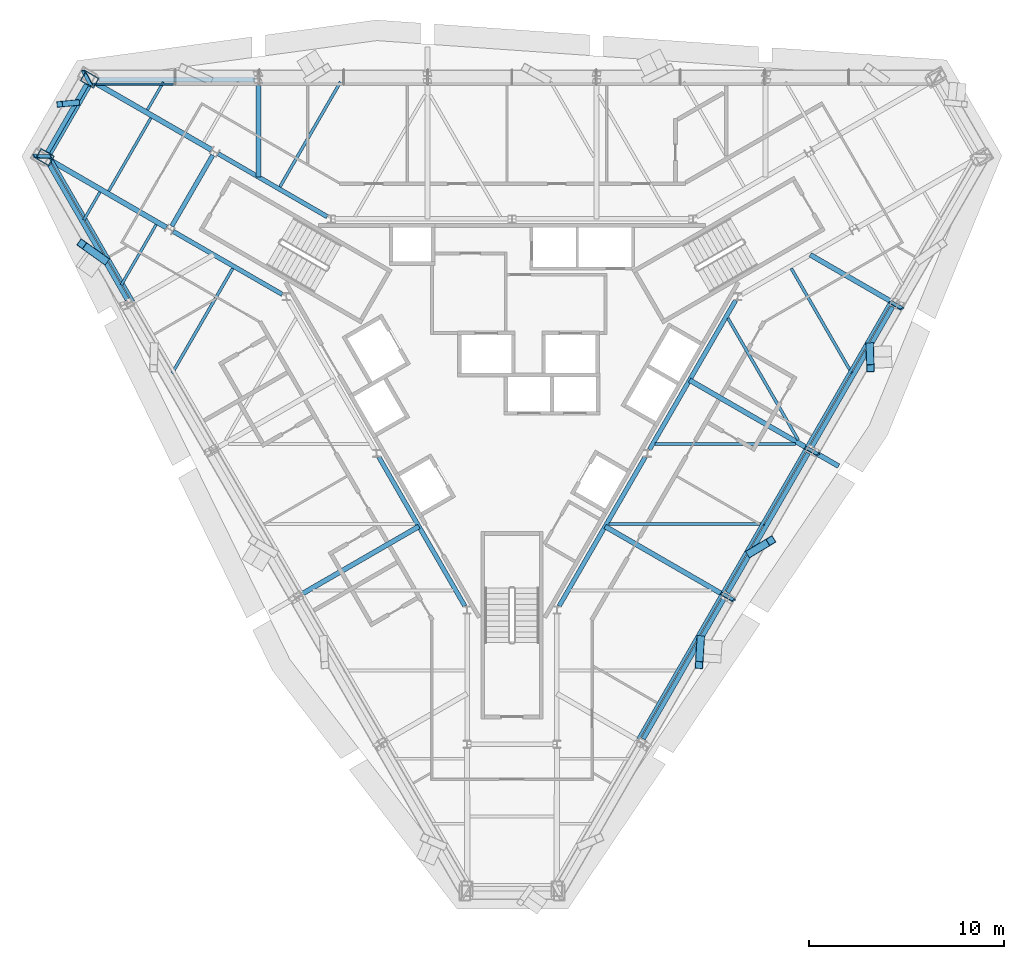
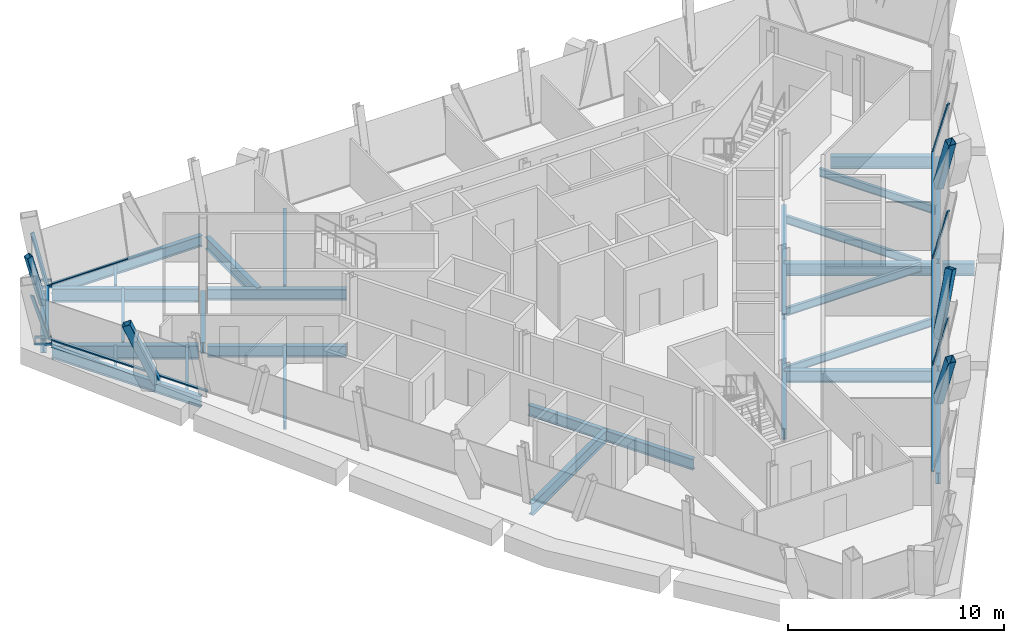
# One storey, part 3 of 10: 30 beams, 18 members, 4 elements without a shape of their own.
"""IFC4 building model written with IfcOpenShell, lengths in metres."""

import ifcopenshell
import ifcopenshell.guid

model = None  # the IFC model being written
_history = None  # IfcOwnerHistory: only IFC2X3 demands one
_inside = {}  # id of a spatial element -> (the spatial element, [elements in it])
_under = {}  # id of a project, library or spatial element -> (it, [spatial elements below it])
_declared = {}  # id of a project -> (the project, [libraries it declares])
_typed = {}  # id of a type object -> (the type object, [elements of that type])
_made_of = {}  # id of a material, layer set ... -> (it, [elements and type objects made of it])


def new_model(schema):
    """Start an empty IFC model of exactly this schema.

    Asked for "IFC4X3", IfcOpenShell would pick the latest addendum, in which some entities
    have other attributes; the version numbers below select the first issue.
    IFC2X3 requires an IfcOwnerHistory on every rooted entity: one is made here for all.
    """
    global model, _history
    if schema == "IFC4X3":
        model = ifcopenshell.file(schema_version=(4, 3, 0, 0))
    else:
        model = ifcopenshell.file(schema=schema)
    _inside.clear()
    _under.clear()
    _declared.clear()
    _typed.clear()
    _made_of.clear()
    _history = None
    if model.schema == "IFC2X3":
        org = make("IfcOrganization", Name="unknown")
        user = make(
            "IfcPersonAndOrganization",
            ThePerson=make("IfcPerson", FamilyName="unknown"),
            TheOrganization=org,
        )
        app = make(
            "IfcApplication",
            ApplicationDeveloper=org,
            Version="unknown",
            ApplicationFullName="unknown",
            ApplicationIdentifier="unknown",
        )
        _history = make(
            "IfcOwnerHistory",
            OwningUser=user,
            OwningApplication=app,
            ChangeAction="ADDED",
            CreationDate=0,
        )
    return model


def make(cls, **values):
    """One entity of the class cls with the attributes given. An attribute that is None is left unset."""
    return model.create_entity(
        cls, **{name: value for name, value in values.items() if value is not None}
    )


def rooted(cls, **values):
    """An entity with a GlobalId (a new one), such as an element, a storey or a relation."""
    return make(cls, GlobalId=ifcopenshell.guid.new(), OwnerHistory=_history, **values)


def si_unit(unit_type, name, prefix=None):
    """IfcSIUnit, for example si_unit("LENGTHUNIT", "METRE", prefix="MILLI")."""
    return make("IfcSIUnit", UnitType=unit_type, Prefix=prefix, Name=name)


def assignment(units):
    """IfcUnitAssignment: the units of a project."""
    return None if units is None else make("IfcUnitAssignment", Units=units)


def point(xyz):
    """IfcCartesianPoint."""
    return None if xyz is None else make("IfcCartesianPoint", Coordinates=xyz)


def direction(xyz):
    """IfcDirection."""
    return None if xyz is None else make("IfcDirection", DirectionRatios=xyz)


def frame(location, z_axis=None, x_axis=None):
    """IfcAxis2Placement3D, a coordinate frame: its origin and axes. An axis left out is left unset."""
    return make(
        "IfcAxis2Placement3D",
        Location=point(location),
        Axis=direction(z_axis),
        RefDirection=direction(x_axis),
    )


def frame_2d(location, x_axis=None):
    """IfcAxis2Placement2D, a coordinate frame in the plane: its origin and x axis."""
    return make(
        "IfcAxis2Placement2D", Location=point(location), RefDirection=direction(x_axis)
    )


def origin():
    """The frame at (0, 0, 0) with its axes left unset."""
    return frame((0.0, 0.0, 0.0))


def origin_2d():
    """The frame at (0, 0) in the plane with its x axis left unset."""
    return frame_2d((0.0, 0.0))


def place(relative_to, where):
    """IfcLocalPlacement: puts the frame where relative to a parent placement (None: the world)."""
    return make(
        "IfcLocalPlacement", PlacementRelTo=relative_to, RelativePlacement=where
    )


def context(
    kind, dimensions, precision=None, world=None, true_north=None, identifier=None
):
    """IfcGeometricRepresentationContext, for example the 3D "Model" context."""
    return make(
        "IfcGeometricRepresentationContext",
        ContextIdentifier=identifier,
        ContextType=kind,
        CoordinateSpaceDimension=dimensions,
        Precision=precision,
        WorldCoordinateSystem=world,
        TrueNorth=true_north,
    )


def subcontext(parent, identifier, kind, view, scale=None):
    """IfcGeometricRepresentationSubContext, for example "Body" below "Model"."""
    return make(
        "IfcGeometricRepresentationSubContext",
        ContextIdentifier=identifier,
        ContextType=kind,
        ParentContext=parent,
        TargetScale=scale,
        TargetView=view,
    )


def project(units=None, contexts=None):
    """IfcProject with its units and contexts."""
    return rooted(
        "IfcProject",
        Name="project",
        RepresentationContexts=contexts,
        UnitsInContext=assignment(units),
    )


def spatial(cls, under=None, at=None, **own):
    """A site, building, storey or space (cls), placed at a placement, below another one or the project."""
    s = rooted(cls, ObjectPlacement=at, **own)
    if under is not None:
        _under.setdefault(under.id(), (under, []))[1].append(s)
    return s


def profile(cls, at=None, kind="AREA", **sizes):
    """A parametric profile (cls). Its sizes go by their IFC names, for example OverallWidth=200.0."""
    return make(cls, ProfileType=kind, Position=at, **sizes)


def rectangle(**sizes):
    """IfcRectangleProfileDef."""
    return profile("IfcRectangleProfileDef", **sizes)


def hollow_rectangle(**sizes):
    """IfcRectangleHollowProfileDef."""
    return profile("IfcRectangleHollowProfileDef", **sizes)


def i_section(**sizes):
    """IfcIShapeProfileDef."""
    return profile("IfcIShapeProfileDef", **sizes)


def extrude(swept, where, along, depth):
    """IfcExtrudedAreaSolid: the profile swept, set in the frame where, extruded along a direction by depth."""
    return make(
        "IfcExtrudedAreaSolid",
        SweptArea=swept,
        Position=where,
        ExtrudedDirection=direction(along),
        Depth=depth,
    )


def shape(context_of_items, identifier, shape_type, items):
    """IfcShapeRepresentation: the items that make up one representation, for example the "Body"."""
    return make(
        "IfcShapeRepresentation",
        ContextOfItems=context_of_items,
        RepresentationIdentifier=identifier,
        RepresentationType=shape_type,
        Items=items,
    )


def material(Name=None, Category=None):
    """IfcMaterial."""
    return make("IfcMaterial", Name=Name, Category=Category)


def material_profile(
    of_material, cross_section, Name=None, Category=None, Priority=None
):
    """IfcMaterialProfile: a cross section and its material."""
    return make(
        "IfcMaterialProfile",
        Name=Name,
        Material=of_material,
        Profile=cross_section,
        Priority=Priority,
        Category=Category,
    )


def profile_set(profiles, Name=None, composite=None):
    """IfcMaterialProfileSet."""
    return make(
        "IfcMaterialProfileSet",
        Name=Name,
        MaterialProfiles=profiles,
        CompositeProfile=composite,
    )


def made_of(thing, what):
    """Note that an element or type object is made of a material, layer set ...; save() writes the relation."""
    if what is not None:
        _made_of.setdefault(what.id(), (what, []))[1].append(thing)
    return thing


def type_object(cls, material=None, **own):
    """A type object (cls), such as IfcWallType, which elements share."""
    return made_of(rooted(cls, **own), material)


def element(
    cls,
    number,
    at=None,
    inside=None,
    cuts=None,
    type_object=None,
    material=None,
    context=None,
    identifier="Body",
    shape_type=None,
    held_by="IfcProductDefinitionShape",
    body=None,
    shapes=None,
    **own,
):
    """One element of the class cls, such as IfcWall. Its Tag is "e" and its number.

    at: its placement. inside: the storey or other place that contains it. cuts: it is an
    opening in that element (IfcRelVoidsElement). A single representation is given by context,
    identifier, shape_type and body (its items); several are given by shapes. held_by: the class
    of the entity that holds the representations. save() writes the other relations.
    """
    e = rooted(cls, Tag="e%d" % number, ObjectPlacement=at, **own)
    if body is not None:
        shapes = [shape(context, identifier, shape_type, body)]
    if shapes is not None:
        e.Representation = make(held_by, Representations=shapes)
    if inside is not None:
        _inside.setdefault(inside.id(), (inside, []))[1].append(e)
    if cuts is not None:
        rooted(
            "IfcRelVoidsElement", RelatingBuildingElement=cuts, RelatedOpeningElement=e
        )
    if type_object is not None:
        _typed.setdefault(type_object.id(), (type_object, []))[1].append(e)
    return made_of(e, material)


def aggregate(whole, parts):
    """IfcRelAggregates: a whole, such as a stair, and the parts it consists of."""
    return rooted("IfcRelAggregates", RelatingObject=whole, RelatedObjects=parts)


def save(model, path):
    """Write the relations noted so far, then the file.

    IfcRelAggregates (storeys below a building ...), IfcRelContainedInSpatialStructure (elements
    in a storey), IfcRelDefinesByType, IfcRelAssociatesMaterial and IfcRelDeclares: one each for
    every whole, place, type object, material and project.
    """
    for whole, parts in _under.values():
        aggregate(whole, parts)
    for where, things in _inside.values():
        rooted(
            "IfcRelContainedInSpatialStructure",
            RelatedElements=things,
            RelatingStructure=where,
        )
    for kind, things in _typed.values():
        rooted("IfcRelDefinesByType", RelatedObjects=things, RelatingType=kind)
    for what, things in _made_of.values():
        rooted("IfcRelAssociatesMaterial", RelatedObjects=things, RelatingMaterial=what)
    for by, libraries in _declared.values():
        rooted("IfcRelDeclares", RelatingContext=by, RelatedDefinitions=libraries)
    model.write(path)


model = new_model("IFC4")

# Units and contexts
model_context = context("Model", 3, precision=1e-05, world=origin(), true_north=direction((0.0, 1.0)))
body_context = subcontext(model_context, "Body", "Model", "MODEL_VIEW")
ifc_project = project(units=[si_unit("LENGTHUNIT", "METRE"), si_unit("AREAUNIT", "SQUARE_METRE"), si_unit("VOLUMEUNIT", "CUBIC_METRE"), si_unit("PLANEANGLEUNIT", "RADIAN"), si_unit("MASSUNIT", "GRAM", prefix="KILO")], contexts=[model_context])

# Site, building, storey
site_placement = place(None, origin())
site = spatial("IfcSite", under=ifc_project, at=site_placement, CompositionType="ELEMENT")
building_placement = place(site_placement, origin())
building = spatial("IfcBuilding", under=site, at=building_placement, Name="Verrane Prism Tower", CompositionType="ELEMENT")
storey_placement = place(building_placement, frame((0.0, 0.0, 213.800048828125)))
storey = spatial("IfcBuildingStorey", under=building, at=storey_placement, Name="L53", CompositionType="ELEMENT", Elevation=213.800048828125)

# Member
ifc_material_1 = material(Name="Steel A500 Grade C", Category="steel")
ifc_material_profile_1 = material_profile(ifc_material_1, hollow_rectangle(XDim=0.3046875, YDim=0.3046875, WallThickness=0.0126953125, InnerFilletRadius=0.00634765625, OuterFilletRadius=0.01904296875, at=origin_2d()), Name="HSS12x12x1/2")
ifc_profile_set_1 = profile_set([ifc_material_profile_1], Name="Steel A500 Grade C")
member_type_1 = type_object("IfcMemberType", Name="Chamfer brace HSS12x12x1/2", PredefinedType="BRACE", material=ifc_profile_set_1)
member_1_placement = place(storey_placement, frame((-22.298095703125, 13.9541015625, -0.24267578125), z_axis=(-0.266823244406, -0.02603153604, 0.963393852677), x_axis=(0.097099964285, -0.995274633926, 0.0)))
element("IfcMember", 1, at=member_1_placement, inside=storey, type_object=member_type_1, Name="Chamfer brace NW0 L53", PredefinedType="BRACE", context=body_context, shape_type="SweptSolid", body=[
    extrude(hollow_rectangle(XDim=0.3046875, YDim=0.3046875, WallThickness=0.0126953125, InnerFilletRadius=0.00634765625, OuterFilletRadius=0.01904296875, at=origin_2d()), origin(), (0.0, 0.0, 1.0), 3.226318359375),
])

# Beams
ifc_material_2 = material(Name="Steel A992", Category="steel")
ifc_material_profile_2 = material_profile(ifc_material_2, i_section(OverallWidth=0.2666015625, OverallDepth=0.7568359375, WebThickness=0.013916015625, FlangeThickness=0.019287109375, FilletRadius=0.0166015625, at=origin_2d()), Name="W30x108")
ifc_profile_set_2 = profile_set([ifc_material_profile_2], Name="Steel A992")
beam_type_1 = type_object("IfcBeamType", Name="Chamfer spandrel beam W30x108", PredefinedType="SPANDREL", material=ifc_profile_set_2)
beam_1_placement = place(storey_placement, frame((-21.77001953125, 14.8701171875, -0.53857421875), z_axis=(-0.499626934201, -0.866240686311, 0.0), x_axis=(0.866240686311, -0.499626934201, 0.0)))
element("IfcBeam", 2, at=beam_1_placement, inside=storey, type_object=beam_type_1, Name="Chamfer spandrel beam L53", PredefinedType="SPANDREL", context=body_context, shape_type="SweptSolid", body=[
    extrude(i_section(OverallWidth=0.2666015625, OverallDepth=0.7568359375, WebThickness=0.013916015625, FlangeThickness=0.019287109375, FilletRadius=0.0166015625, at=origin_2d()), origin(), (0.0, 0.0, 1.0), 3.98291015625),
])
ifc_material_3 = material(Name="Steel A992", Category="steel")
ifc_material_profile_3 = material_profile(ifc_material_3, i_section(OverallWidth=0.23046875, OverallDepth=0.6171875, WebThickness=0.01318359375, FlangeThickness=0.022216796875, FilletRadius=0.012939453125, at=origin_2d()), Name="W24x94")
ifc_profile_set_3 = profile_set([ifc_material_profile_3], Name="Steel A992")
beam_type_2 = type_object("IfcBeamType", Name="Core ring girder W24x94", PredefinedType="BEAM", material=ifc_profile_set_3)
beam_2_placement = place(storey_placement, frame((-9.45947265625, 8.114990234375, -0.55859375), z_axis=(-0.866080992722, 0.499903704773, 0.0), x_axis=(-0.499903704773, -0.866080992722, 0.0)))
element("IfcBeam", 3, at=beam_2_placement, inside=storey, type_object=beam_type_2, Name="Core ring girder L53", PredefinedType="BEAM", context=body_context, shape_type="SweptSolid", body=[
    extrude(i_section(OverallWidth=0.23046875, OverallDepth=0.6171875, WebThickness=0.01318359375, FlangeThickness=0.022216796875, FilletRadius=0.012939453125, at=origin_2d()), origin(), (0.0, 0.0, 1.0), 6.451904296875),
])
beam_3_placement = place(storey_placement, frame((-15.3203125, 11.266357421875, -0.55859375), z_axis=(-0.500375511519, -0.865808493532, 0.0), x_axis=(0.865808493532, -0.500375511519, 0.0)))
element("IfcBeam", 4, at=beam_3_placement, inside=storey, type_object=beam_type_2, Name="Core ring girder L53", PredefinedType="BEAM", context=body_context, shape_type="SweptSolid", body=[
    extrude(i_section(OverallWidth=0.23046875, OverallDepth=0.6171875, WebThickness=0.01318359375, FlangeThickness=0.022216796875, FilletRadius=0.012939453125, at=origin_2d()), origin(), (0.0, 0.0, 1.0), 4.195556640625),
])
beam_4_placement = place(storey_placement, frame((-17.347412109375, 7.3603515625, -0.55859375), z_axis=(0.866080992722, -0.499903704773, 0.0), x_axis=(0.499903704773, 0.866080992722, 0.0)))
element("IfcBeam", 5, at=beam_4_placement, inside=storey, type_object=beam_type_2, Name="Core ring girder L53", PredefinedType="BEAM", context=body_context, shape_type="SweptSolid", body=[
    extrude(i_section(OverallWidth=0.23046875, OverallDepth=0.6171875, WebThickness=0.01318359375, FlangeThickness=0.022216796875, FilletRadius=0.012939453125, at=origin_2d()), origin(), (0.0, 0.0, 1.0), 6.451904296875),
])
for number, where, z_axis, x_axis, name in (
    (6, (-6.818603515625, -4.193115234375, -0.55859375), (0.499987781028, -0.866032458297, 0.0), (0.866032458297, 0.499987781028, 0.0), "Core ring girder L53"),
    (7, (2.411376953125, -11.826904296875, -0.55859375), (0.499987781028, 0.866032458297, 0.0), (-0.866032458297, 0.499987781028, 0.0), "Core ring girder L53"),
):
    element("IfcBeam", number, at=place(storey_placement, frame(where, z_axis=z_axis, x_axis=x_axis)), inside=storey, type_object=beam_type_2, Name=name, PredefinedType="BEAM", context=body_context, shape_type="SweptSolid", body=[
        extrude(i_section(OverallWidth=0.23046875, OverallDepth=0.6171875, WebThickness=0.01318359375, FlangeThickness=0.022216796875, FilletRadius=0.012939453125, at=origin_2d()), origin(), (0.0, 0.0, 1.0), 8.814697265625),
    ])
beam_5_placement = place(storey_placement, frame((7.04150390625, -3.806884765625, -0.55859375), z_axis=(0.499967007444, 0.866044451208, 0.0), x_axis=(-0.866044451208, 0.499967007444, 0.0)))
element("IfcBeam", 8, at=beam_5_placement, inside=storey, type_object=beam_type_2, Name="Core ring girder L53", PredefinedType="BEAM", context=body_context, shape_type="SweptSolid", body=[
    extrude(i_section(OverallWidth=0.23046875, OverallDepth=0.6171875, WebThickness=0.01318359375, FlangeThickness=0.022216796875, FilletRadius=0.012939453125, at=origin_2d()), origin(), (0.0, 0.0, 1.0), 8.814453125),
])
ifc_material_4 = material(Name="Steel A992", Category="steel")
ifc_material_profile_4 = material_profile(ifc_material_4, i_section(OverallWidth=0.2666015625, OverallDepth=0.76708984375, WebThickness=0.014892578125, FlangeThickness=0.023681640625, FilletRadius=0.0166015625, at=origin_2d()), Name="W30x124")
ifc_profile_set_4 = profile_set([ifc_material_profile_4], Name="Steel A992")
beam_type_3 = type_object("IfcBeamType", Name="Corner girder W30x124", PredefinedType="BEAM", material=ifc_profile_set_4)
beam_6_placement = place(storey_placement, frame((-21.2734375, 14.93017578125, -0.603515625), z_axis=(0.866324462832, -0.499481656419, 0.0), x_axis=(0.499481656419, 0.866324462832, 0.0)))
element("IfcBeam", 9, at=beam_6_placement, inside=storey, type_object=beam_type_3, Name="Corner girder L53", PredefinedType="BEAM", context=body_context, shape_type="SweptSolid", body=[
    extrude(i_section(OverallWidth=0.2666015625, OverallDepth=0.76708984375, WebThickness=0.014892578125, FlangeThickness=0.023681640625, FilletRadius=0.0166015625, at=origin_2d()), origin(), (0.0, 0.0, 1.0), 6.788330078125),
])
beam_7_placement = place(storey_placement, frame((-23.563720703125, 10.959716796875, -0.603515625), z_axis=(0.865372078644, -0.501129888855, 0.0), x_axis=(0.501129888855, 0.865372078644, 0.0)))
element("IfcBeam", 10, at=beam_7_placement, inside=storey, type_object=beam_type_3, Name="Corner girder L53", PredefinedType="BEAM", context=body_context, shape_type="SweptSolid", body=[
    extrude(i_section(OverallWidth=0.2666015625, OverallDepth=0.76708984375, WebThickness=0.014892578125, FlangeThickness=0.023681640625, FilletRadius=0.0166015625, at=origin_2d()), origin(), (0.0, 0.0, 1.0), 6.784423828125),
])

# Members
ifc_material_5 = material(Name="Steel A500 Grade C", Category="steel")
ifc_material_profile_5 = material_profile(ifc_material_5, hollow_rectangle(XDim=0.406494140625, YDim=0.406494140625, WallThickness=0.01904296875, InnerFilletRadius=0.009521484375, OuterFilletRadius=0.028564453125, at=origin_2d()), Name="HSS16x16x3/4")
ifc_profile_set_5 = profile_set([ifc_material_profile_5], Name="Steel A500 Grade C")
member_type_2 = type_object("IfcMemberType", Name="Facade brace HSS16x16x3/4", PredefinedType="BRACE", material=ifc_profile_set_5)
member_2_placement = place(storey_placement, frame((-20.875244140625, 5.898193359375, -0.216796875), z_axis=(-0.329854618194, 0.23637835708, 0.913959081776), x_axis=(-0.582490527384, -0.812837490221, 0.0)))
element("IfcMember", 11, at=member_2_placement, inside=storey, type_object=member_type_2, Name="Facade brace SW0 L53", PredefinedType="BRACE", context=body_context, shape_type="SweptSolid", body=[
    extrude(hollow_rectangle(XDim=0.406494140625, YDim=0.406494140625, WallThickness=0.01904296875, InnerFilletRadius=0.009521484375, OuterFilletRadius=0.028564453125, at=origin_2d()), origin(), (0.0, 0.0, 1.0), 3.4970703125),
])
member_3_placement = place(storey_placement, frame((9.659423828125, -13.5302734375, -0.216796875), z_axis=(-0.023386214641, -0.379266465843, 0.924991909614), x_axis=(0.998104321493, -0.061544808199, 0.0)))
element("IfcMember", 12, at=member_3_placement, inside=storey, type_object=member_type_2, Name="Facade brace SE1 L53", PredefinedType="BRACE", context=body_context, shape_type="SweptSolid", body=[
    extrude(hollow_rectangle(XDim=0.406494140625, YDim=0.406494140625, WallThickness=0.01904296875, InnerFilletRadius=0.009521484375, OuterFilletRadius=0.028564453125, at=origin_2d()), origin(), (0.0, 0.0, 1.0), 3.45556640625),
])
member_4_placement = place(storey_placement, frame((12.218994140625, -9.09765625, -0.216796875), z_axis=(0.303173422741, 0.182804144391, 0.935237146684), x_axis=(-0.516363997567, 0.856369208938, 0.0)))
element("IfcMember", 13, at=member_4_placement, inside=storey, type_object=member_type_2, Name="Facade brace SE2 L53", PredefinedType="BRACE", context=body_context, shape_type="SweptSolid", body=[
    extrude(hollow_rectangle(XDim=0.406494140625, YDim=0.406494140625, WallThickness=0.01904296875, InnerFilletRadius=0.009521484375, OuterFilletRadius=0.028564453125, at=origin_2d()), origin(), (0.0, 0.0, 1.0), 3.417724609375),
])
member_5_placement = place(storey_placement, frame((18.318603515625, 1.465576171875, -0.216796875), z_axis=(0.010175192612, -0.327554604709, 0.944777458658), x_axis=(0.999517859416, 0.031049133769, 0.0)))
element("IfcMember", 14, at=member_5_placement, inside=storey, type_object=member_type_2, Name="Facade brace SE3 L53", PredefinedType="BRACE", context=body_context, shape_type="SweptSolid", body=[
    extrude(hollow_rectangle(XDim=0.406494140625, YDim=0.406494140625, WallThickness=0.01904296875, InnerFilletRadius=0.009521484375, OuterFilletRadius=0.028564453125, at=origin_2d()), origin(), (0.0, 0.0, 1.0), 3.383056640625),
])

# Beams
ifc_material_6 = material(Name="Steel A992", Category="steel")
ifc_material_profile_6 = material_profile(ifc_material_6, i_section(OverallWidth=0.140380859375, OverallDepth=0.40380859375, WebThickness=0.007080078125, FlangeThickness=0.01123046875, FilletRadius=0.01025390625, at=origin_2d()), Name="W16x31")
ifc_profile_set_6 = profile_set([ifc_material_profile_6], Name="Steel A992")
beam_type_4 = type_object("IfcBeamType", Name="Floor beam W16x31", PredefinedType="BEAM", material=ifc_profile_set_6)
beam_8_placement = place(storey_placement, frame((-18.66943359375, 13.5830078125, -0.362060546875), z_axis=(0.499982354831, 0.866035590988, 0.0), x_axis=(-0.866035590988, 0.499982354831, 0.0)))
element("IfcBeam", 15, at=beam_8_placement, inside=storey, type_object=beam_type_4, Name="Floor beam L53", PredefinedType="BEAM", context=body_context, shape_type="SweptSolid", body=[
    extrude(i_section(OverallWidth=0.140380859375, OverallDepth=0.40380859375, WebThickness=0.007080078125, FlangeThickness=0.01123046875, FilletRadius=0.01025390625, at=origin_2d()), origin(), (0.0, 0.0, 1.0), 1.6533203125),
])
beam_9_placement = place(storey_placement, frame((-20.00341796875, 4.61669921875, -0.362060546875), z_axis=(0.500028168084, 0.866009140323, 0.0), x_axis=(-0.866009140323, 0.500028168084, 0.0)))
element("IfcBeam", 16, at=beam_9_placement, inside=storey, type_object=beam_type_4, Name="Floor beam L53", PredefinedType="BEAM", context=body_context, shape_type="SweptSolid", body=[
    extrude(i_section(OverallWidth=0.140380859375, OverallDepth=0.40380859375, WebThickness=0.007080078125, FlangeThickness=0.01123046875, FilletRadius=0.01025390625, at=origin_2d()), origin(), (0.0, 0.0, 1.0), 3.571533203125),
])
beam_10_placement = place(storey_placement, frame((-21.92333984375, 7.94580078125, -0.362060546875), z_axis=(0.499952654668, 0.866052736899, 0.0), x_axis=(-0.866052736899, 0.499952654668, 0.0)))
element("IfcBeam", 17, at=beam_10_placement, inside=storey, type_object=beam_type_4, Name="Floor beam L53", PredefinedType="BEAM", context=body_context, shape_type="SweptSolid", body=[
    extrude(i_section(OverallWidth=0.140380859375, OverallDepth=0.40380859375, WebThickness=0.007080078125, FlangeThickness=0.01123046875, FilletRadius=0.01025390625, at=origin_2d()), origin(), (0.0, 0.0, 1.0), 1.652587890625),
])
beam_11_placement = place(storey_placement, frame((-20.648193359375, 9.425537109375, -0.362060546875), z_axis=(0.499971774539, 0.866041699148, 0.0), x_axis=(-0.866041699148, 0.499971774539, 0.0)))
element("IfcBeam", 18, at=beam_11_placement, inside=storey, type_object=beam_type_4, Name="Floor beam L53", PredefinedType="BEAM", context=body_context, shape_type="SweptSolid", body=[
    extrude(i_section(OverallWidth=0.140380859375, OverallDepth=0.40380859375, WebThickness=0.007080078125, FlangeThickness=0.01123046875, FilletRadius=0.01025390625, at=origin_2d()), origin(), (0.0, 0.0, 1.0), 4.322998046875),
])
ifc_material_7 = material(Name="Steel A992", Category="steel")
ifc_material_profile_7 = material_profile(ifc_material_7, i_section(OverallWidth=0.15234375, OverallDepth=0.449462890625, WebThickness=0.007568359375, FlangeThickness=0.0107421875, FilletRadius=0.01025390625, at=origin_2d()), Name="W18x35")
ifc_profile_set_7 = profile_set([ifc_material_profile_7], Name="Steel A992")
beam_type_5 = type_object("IfcBeamType", Name="Floor beam W18x35", PredefinedType="BEAM", material=ifc_profile_set_7)
beam_12_placement = place(storey_placement, frame((-11.88134765625, 9.644775390625, -0.384765625), z_axis=(0.499988291006, 0.866032163869, 0.0), x_axis=(-0.866032163869, 0.499988291006, 0.0)))
element("IfcBeam", 19, at=beam_12_placement, inside=storey, type_object=beam_type_5, Name="Floor beam L53", PredefinedType="BEAM", context=body_context, shape_type="SweptSolid", body=[
    extrude(i_section(OverallWidth=0.15234375, OverallDepth=0.449462890625, WebThickness=0.007568359375, FlangeThickness=0.0107421875, FilletRadius=0.01025390625, at=origin_2d()), origin(), (0.0, 0.0, 1.0), 6.200927734375),
])
beam_13_placement = place(storey_placement, frame((-17.3974609375, 0.098876953125, -0.384765625), z_axis=(0.499994080864, 0.866028821172, 0.0), x_axis=(-0.866028821172, 0.499994080864, 0.0)))
element("IfcBeam", 20, at=beam_13_placement, inside=storey, type_object=beam_type_5, Name="Floor beam L53", PredefinedType="BEAM", context=body_context, shape_type="SweptSolid", body=[
    extrude(i_section(OverallWidth=0.15234375, OverallDepth=0.449462890625, WebThickness=0.007568359375, FlangeThickness=0.0107421875, FilletRadius=0.01025390625, at=origin_2d()), origin(), (0.0, 0.0, 1.0), 6.1982421875),
])
beam_14_placement = place(storey_placement, frame((4.9755859375, -7.623291015625, -0.384765625), z_axis=(1.0, 0.0, 0.0), x_axis=(0.0, 1.0, 0.0)))
element("IfcBeam", 21, at=beam_14_placement, inside=storey, type_object=beam_type_5, Name="Floor beam L53", PredefinedType="BEAM", context=body_context, shape_type="SweptSolid", body=[
    extrude(i_section(OverallWidth=0.15234375, OverallDepth=0.449462890625, WebThickness=0.007568359375, FlangeThickness=0.0107421875, FilletRadius=0.01025390625, at=origin_2d()), origin(), (0.0, 0.0, 1.0), 7.962890625),
])
beam_15_placement = place(storey_placement, frame((7.32958984375, -3.53662109375, -0.384765625), z_axis=(1.0, 0.0, 0.0), x_axis=(0.0, 1.0, 0.0)))
element("IfcBeam", 22, at=beam_15_placement, inside=storey, type_object=beam_type_5, Name="Floor beam L53", PredefinedType="BEAM", context=body_context, shape_type="SweptSolid", body=[
    extrude(i_section(OverallWidth=0.15234375, OverallDepth=0.449462890625, WebThickness=0.007568359375, FlangeThickness=0.0107421875, FilletRadius=0.01025390625, at=origin_2d()), origin(), (0.0, 0.0, 1.0), 7.19580078125),
])
beam_16_placement = place(storey_placement, frame((17.3974609375, 0.098876953125, -0.384765625), z_axis=(-0.499994080864, 0.866028821172, 0.0), x_axis=(-0.866028821172, -0.499994080864, 0.0)))
element("IfcBeam", 23, at=beam_16_placement, inside=storey, type_object=beam_type_5, Name="Floor beam L53", PredefinedType="BEAM", context=body_context, shape_type="SweptSolid", body=[
    extrude(i_section(OverallWidth=0.15234375, OverallDepth=0.449462890625, WebThickness=0.007568359375, FlangeThickness=0.0107421875, FilletRadius=0.01025390625, at=origin_2d()), origin(), (0.0, 0.0, 1.0), 6.1982421875),
])
beam_17_placement = place(storey_placement, frame((14.6533203125, -3.317138671875, -0.384765625), z_axis=(-0.500002364004, 0.866024038922, 0.0), x_axis=(-0.866024038922, -0.500002364004, 0.0)))
element("IfcBeam", 24, at=beam_17_placement, inside=storey, type_object=beam_type_5, Name="Floor beam L53", PredefinedType="BEAM", context=body_context, shape_type="SweptSolid", body=[
    extrude(i_section(OverallWidth=0.15234375, OverallDepth=0.449462890625, WebThickness=0.007568359375, FlangeThickness=0.0107421875, FilletRadius=0.01025390625, at=origin_2d()), origin(), (0.0, 0.0, 1.0), 7.19775390625),
])

# Members
ifc_material_8 = material(Name="Steel A572 Grade 50", Category="steel")
ifc_material_profile_8 = material_profile(ifc_material_8, hollow_rectangle(XDim=0.60009765625, YDim=0.800048828125, WallThickness=0.050048828125, at=origin_2d()), Name="BOX 800x600x50")
ifc_profile_set_8 = profile_set([ifc_material_profile_8], Name="Steel A572 Grade 50")
member_type_3 = type_object("IfcMemberType", Name="Kink node BOX 800x600x50", PredefinedType="COLLAR", material=ifc_profile_set_8)
for number, where, z_axis, x_axis, name in (
    (25, (-21.62353515625, 15.13623046875, -0.06494140625), (0.0, 0.0, 1.0), (0.5, 0.866025403784, 0.0), "Kink node MC4 L53"),
    (26, (-23.9169921875, 11.159912109375, -0.06494140625), (0.0, 0.0, 1.0), (0.5, 0.866025403784, 0.0), "Kink node MC4 L53"),
):
    element("IfcMember", number, at=place(storey_placement, frame(where, z_axis=z_axis, x_axis=x_axis)), inside=storey, type_object=member_type_3, Name=name, PredefinedType="COLLAR", context=body_context, shape_type="SweptSolid", body=[
        extrude(hollow_rectangle(XDim=0.60009765625, YDim=0.800048828125, WallThickness=0.050048828125, at=origin_2d()), origin(), (0.0, 0.0, 1.0), 0.1298828125),
    ])

# Curtain wall, member
ifc_material_9 = material(Name="Aluminium framed insulated glazing", Category="aluminium")
curtain_wall_type_1 = type_object("IfcCurtainWallType", Name="Curtain wall CW-A 8400 module", PredefinedType="NOTDEFINED", material=ifc_material_9)
curtain_wall_1_placement = place(storey_placement, origin())
curtain_wall_1 = element("IfcCurtainWall", 27, at=curtain_wall_1_placement, inside=storey, type_object=curtain_wall_type_1, Name="Glazed curtain wall north-west corner L53", PredefinedType="NOTDEFINED")
ifc_material_10 = material(Name="Aluminium alloy 6063-T6", Category="aluminium")
ifc_material_profile_9 = material_profile(ifc_material_10, rectangle(XDim=0.199951171875, YDim=0.070068359375, at=origin_2d()), Name="Mullion 70x200 aluminium")
ifc_profile_set_9 = profile_set([ifc_material_profile_9], Name="Aluminium alloy 6063-T6")
member_type_4 = type_object("IfcMemberType", Name="Mullion 70x200 aluminium", PredefinedType="MULLION", material=ifc_profile_set_9)
member_6_placement = place(storey_placement, frame((-21.568359375, 14.87158203125, 0.0), z_axis=(-0.136448008455, 0.257486431098, 0.956599539405), x_axis=(-0.98918032182, 0.01711734943, -0.145702735982)))
member_6 = element("IfcMember", 28, at=member_6_placement, type_object=member_type_4, Name="CW51.3 mullion 1", PredefinedType="MULLION", context=body_context, shape_type="SweptSolid", body=[
    extrude(rectangle(XDim=0.199951171875, YDim=0.070068359375, at=origin_2d()), origin(), (0.0, 0.0, 1.0), 2.8359375),
])

curtain_wall_2_placement = place(storey_placement, origin())
curtain_wall_2 = element("IfcCurtainWall", 29, at=curtain_wall_2_placement, inside=storey, type_object=curtain_wall_type_1, Name="Glazed curtain wall south-west face L53", PredefinedType="NOTDEFINED")
member_7_placement = place(storey_placement, frame((-23.6630859375, 11.182373046875, 0.0), z_axis=(-0.291309178264, 0.010760534067, 0.956568436426), x_axis=(0.445989173146, -0.883090908575, 0.145753575009)))
member_7 = element("IfcMember", 30, at=member_7_placement, type_object=member_type_4, Name="CW51.4 mullion 1", PredefinedType="MULLION", context=body_context, shape_type="SweptSolid", body=[
    extrude(rectangle(XDim=0.199951171875, YDim=0.070068359375, at=origin_2d()), origin(), (0.0, 0.0, 1.0), 2.836181640625),
])

# Curtain wall, members
curtain_wall_3_placement = place(storey_placement, origin())
curtain_wall_3 = element("IfcCurtainWall", 31, at=curtain_wall_3_placement, inside=storey, type_object=curtain_wall_type_1, Name="Glazed curtain wall south-east face L53", PredefinedType="NOTDEFINED")
member_8_placement = place(storey_placement, frame((10.750244140625, -11.18359375, 0.0), z_axis=(0.216364904862, -0.124956614407, 0.968283053895), x_axis=(-0.852358286313, -0.507817334077, 0.124927606898)))
member_8 = element("IfcMember", 32, at=member_8_placement, type_object=member_type_4, Name="CW51.6 mullion 3", PredefinedType="MULLION", context=body_context, shape_type="SweptSolid", body=[
    extrude(rectangle(XDim=0.199951171875, YDim=0.070068359375, at=origin_2d()), origin(), (0.0, 0.0, 1.0), 2.8017578125),
])
member_9_placement = place(storey_placement, frame((15.060302734375, -3.71826171875, 0.0), z_axis=(0.216367259975, -0.124870835096, 0.968293593572), x_axis=(-0.852209420191, -0.50807214042, 0.124907182605)))
member_9 = element("IfcMember", 33, at=member_9_placement, type_object=member_type_4, Name="CW51.6 mullion 4", PredefinedType="MULLION", context=body_context, shape_type="SweptSolid", body=[
    extrude(rectangle(XDim=0.199951171875, YDim=0.070068359375, at=origin_2d()), origin(), (0.0, 0.0, 1.0), 2.8017578125),
])
member_10_placement = place(storey_placement, frame((19.37060546875, 3.747314453125, 0.0), z_axis=(0.216364904862, -0.124956614407, 0.968283053895), x_axis=(-0.852358286313, -0.507817334077, 0.124927606898)))
member_10 = element("IfcMember", 34, at=member_10_placement, type_object=member_type_4, Name="CW51.6 mullion 5", PredefinedType="MULLION", context=body_context, shape_type="SweptSolid", body=[
    extrude(rectangle(XDim=0.199951171875, YDim=0.070068359375, at=origin_2d()), origin(), (0.0, 0.0, 1.0), 2.8017578125),
])

# Beams
ifc_material_11 = material(Name="Steel A992", Category="steel")
ifc_material_profile_10 = material_profile(ifc_material_11, i_section(OverallWidth=0.25390625, OverallDepth=0.683349609375, WebThickness=0.012451171875, FlangeThickness=0.01904296875, FilletRadius=0.01513671875, at=origin_2d()), Name="W27x94")
ifc_profile_set_10 = profile_set([ifc_material_profile_10], Name="Steel A992")
beam_type_6 = type_object("IfcBeamType", Name="Radial girder W27x94", PredefinedType="BEAM", material=ifc_profile_set_10)
beam_18_placement = place(storey_placement, frame((-12.969970703125, 14.9306640625, -0.561767578125), z_axis=(0.0, -1.0, 0.0), x_axis=(1.0, 0.0, 0.0)))
element("IfcBeam", 35, at=beam_18_placement, inside=storey, type_object=beam_type_6, Name="Radial girder L53", PredefinedType="BEAM", context=body_context, shape_type="SweptSolid", body=[
    extrude(i_section(OverallWidth=0.25390625, OverallDepth=0.683349609375, WebThickness=0.012451171875, FlangeThickness=0.01904296875, FilletRadius=0.01513671875, at=origin_2d()), origin(), (0.0, 0.0, 1.0), 4.789306640625),
])
for number, where, z_axis, x_axis, name in (
    (36, (-10.767333984375, -11.210205078125, -0.561767578125), (0.866024796723, 0.500001051461, 0.0), (-0.500001051461, 0.866024796723, 0.0), "Radial girder L53"),
    (37, (10.767333984375, -11.210205078125, -0.561767578125), (-0.866024796723, 0.500001051461, 0.0), (-0.500001051461, -0.866024796723, 0.0), "Radial girder L53"),
):
    element("IfcBeam", number, at=place(storey_placement, frame(where, z_axis=z_axis, x_axis=x_axis)), inside=storey, type_object=beam_type_6, Name=name, PredefinedType="BEAM", context=body_context, shape_type="SweptSolid", body=[
        extrude(i_section(OverallWidth=0.25390625, OverallDepth=0.683349609375, WebThickness=0.012451171875, FlangeThickness=0.01904296875, FilletRadius=0.01513671875, at=origin_2d()), origin(), (0.0, 0.0, 1.0), 6.92822265625),
    ])
beam_19_placement = place(storey_placement, frame((15.097412109375, -3.72021484375, -0.561767578125), z_axis=(-0.866039581409, 0.499975442831, 0.0), x_axis=(-0.499975442831, -0.866039581409, 0.0)))
element("IfcBeam", 38, at=beam_19_placement, inside=storey, type_object=beam_type_6, Name="Radial girder L53", PredefinedType="BEAM", context=body_context, shape_type="SweptSolid", body=[
    extrude(i_section(OverallWidth=0.25390625, OverallDepth=0.683349609375, WebThickness=0.012451171875, FlangeThickness=0.01904296875, FilletRadius=0.01513671875, at=origin_2d()), origin(), (0.0, 0.0, 1.0), 6.933349609375),
])
beam_20_placement = place(storey_placement, frame((19.417236328125, 3.769775390625, -0.561767578125), z_axis=(-0.866040325021, 0.49997415477, 0.0), x_axis=(-0.49997415477, -0.866040325021, 0.0)))
element("IfcBeam", 39, at=beam_20_placement, inside=storey, type_object=beam_type_6, Name="Radial girder L53", PredefinedType="BEAM", context=body_context, shape_type="SweptSolid", body=[
    extrude(i_section(OverallWidth=0.25390625, OverallDepth=0.683349609375, WebThickness=0.012451171875, FlangeThickness=0.01904296875, FilletRadius=0.01513671875, at=origin_2d()), origin(), (0.0, 0.0, 1.0), 4.785888671875),
])
beam_21_placement = place(storey_placement, frame((15.439208984375, -3.917724609375, -0.561767578125), z_axis=(0.866067759775, -0.499926630096, 0.0), x_axis=(0.499926630096, 0.866067759775, 0.0)))
element("IfcBeam", 40, at=beam_21_placement, inside=storey, type_object=beam_type_6, Name="Cantilever girder L53", PredefinedType="BEAM", context=body_context, shape_type="SweptSolid", body=[
    extrude(i_section(OverallWidth=0.25390625, OverallDepth=0.683349609375, WebThickness=0.012451171875, FlangeThickness=0.01904296875, FilletRadius=0.01513671875, at=origin_2d()), origin(), (0.0, 0.0, 1.0), 1.483642578125),
])
ifc_material_12 = material(Name="Steel A992", Category="steel")
ifc_material_profile_11 = material_profile(ifc_material_12, i_section(OverallWidth=0.23046875, OverallDepth=0.6171875, WebThickness=0.01318359375, FlangeThickness=0.022216796875, FilletRadius=0.012939453125, at=origin_2d()), Name="W24x94")
ifc_profile_set_11 = profile_set([ifc_material_profile_11], Name="Steel A992")
beam_type_7 = type_object("IfcBeamType", Name="Spandrel beam W24x94", PredefinedType="SPANDREL", material=ifc_profile_set_11)
beam_22_placement = place(storey_placement, frame((-13.170654296875, 15.1298828125, -0.46875), z_axis=(-1.0, 0.0, 0.0), x_axis=(0.0, -1.0, 0.0)))
element("IfcBeam", 41, at=beam_22_placement, inside=storey, type_object=beam_type_7, Name="Spandrel beam L53", PredefinedType="SPANDREL", context=body_context, shape_type="SweptSolid", body=[
    extrude(i_section(OverallWidth=0.23046875, OverallDepth=0.6171875, WebThickness=0.01318359375, FlangeThickness=0.022216796875, FilletRadius=0.012939453125, at=origin_2d()), origin(), (0.0, 0.0, 1.0), 7.987548828125),
])
beam_23_placement = place(storey_placement, frame((-23.67919921875, 10.759765625, -0.46875), z_axis=(0.499628915067, -0.866239543792, 0.0), x_axis=(0.866239543792, 0.499628915067, 0.0)))
element("IfcBeam", 42, at=beam_23_placement, inside=storey, type_object=beam_type_7, Name="Spandrel beam L53", PredefinedType="SPANDREL", context=body_context, shape_type="SweptSolid", body=[
    extrude(i_section(OverallWidth=0.23046875, OverallDepth=0.6171875, WebThickness=0.01318359375, FlangeThickness=0.022216796875, FilletRadius=0.012939453125, at=origin_2d()), origin(), (0.0, 0.0, 1.0), 7.98388671875),
])
beam_24_placement = place(storey_placement, frame((6.72021484375, -18.626220703125, -0.46875), z_axis=(0.499613933384, 0.866248184742, 0.0), x_axis=(-0.866248184742, 0.499613933384, 0.0)))
element("IfcBeam", 43, at=beam_24_placement, inside=storey, type_object=beam_type_7, Name="Spandrel beam L53", PredefinedType="SPANDREL", context=body_context, shape_type="SweptSolid", body=[
    extrude(i_section(OverallWidth=0.23046875, OverallDepth=0.6171875, WebThickness=0.01318359375, FlangeThickness=0.022216796875, FilletRadius=0.012939453125, at=origin_2d()), origin(), (0.0, 0.0, 1.0), 8.2451171875),
])
beam_25_placement = place(storey_placement, frame((11.040283203125, -11.13623046875, -0.46875), z_axis=(0.500511266251, 0.865730022788, 0.0), x_axis=(-0.865730022788, 0.500511266251, 0.0)))
element("IfcBeam", 44, at=beam_25_placement, inside=storey, type_object=beam_type_7, Name="Spandrel beam L53", PredefinedType="SPANDREL", context=body_context, shape_type="SweptSolid", body=[
    extrude(i_section(OverallWidth=0.23046875, OverallDepth=0.6171875, WebThickness=0.01318359375, FlangeThickness=0.022216796875, FilletRadius=0.012939453125, at=origin_2d()), origin(), (0.0, 0.0, 1.0), 8.250244140625),
])
beam_26_placement = place(storey_placement, frame((15.370361328125, -3.646240234375, -0.46875), z_axis=(0.499613933384, 0.866248184742, 0.0), x_axis=(-0.866248184742, 0.499613933384, 0.0)))
element("IfcBeam", 45, at=beam_26_placement, inside=storey, type_object=beam_type_7, Name="Spandrel beam L53", PredefinedType="SPANDREL", context=body_context, shape_type="SweptSolid", body=[
    extrude(i_section(OverallWidth=0.23046875, OverallDepth=0.6171875, WebThickness=0.01318359375, FlangeThickness=0.022216796875, FilletRadius=0.012939453125, at=origin_2d()), origin(), (0.0, 0.0, 1.0), 8.2451171875),
])

# Curtain wall, member
ifc_material_13 = material(Name="Aluminium framed insulated glazing", Category="aluminium")
curtain_wall_type_2 = type_object("IfcCurtainWallType", Name="Curtain wall CW-C 4200 module", PredefinedType="NOTDEFINED", material=ifc_material_13)
curtain_wall_4_placement = place(storey_placement, origin())
curtain_wall_4 = element("IfcCurtainWall", 46, at=curtain_wall_4_placement, inside=storey, type_object=curtain_wall_type_2, Name="Glazed curtain wall north face L53", PredefinedType="NOTDEFINED")
ifc_material_14 = material(Name="Aluminium alloy 6063-T6", Category="aluminium")
ifc_material_profile_12 = material_profile(ifc_material_14, rectangle(XDim=0.10009765625, YDim=0.050048828125, at=origin_2d()), Name="Transom 50x100 aluminium")
ifc_profile_set_12 = profile_set([ifc_material_profile_12], Name="Aluminium alloy 6063-T6")
member_type_5 = type_object("IfcMemberType", Name="Transom 50x100 aluminium", PredefinedType="USERDEFINED", material=ifc_profile_set_12)
member_11_placement = place(storey_placement, frame((-17.265625, 14.90185546875, 0.02490234375), z_axis=(-1.0, 0.0, 0.0), x_axis=(0.0, -1.0, 0.0)))
member_11 = element("IfcMember", 47, at=member_11_placement, type_object=member_type_5, Name="CW51.2 transom 10", ObjectType="TRANSOM", PredefinedType="USERDEFINED", context=body_context, shape_type="SweptSolid", body=[
    extrude(rectangle(XDim=0.10009765625, YDim=0.050048828125, at=origin_2d()), origin(), (0.0, 0.0, 1.0), 4.28515625),
])
aggregate(curtain_wall_4, [member_11])

# Member
ifc_material_15 = material(Name="Aluminium alloy 6063-T6", Category="aluminium")
ifc_material_profile_13 = material_profile(ifc_material_15, rectangle(XDim=0.14990234375, YDim=0.070068359375, at=origin_2d()), Name="Transom 70x150 aluminium")
ifc_profile_set_13 = profile_set([ifc_material_profile_13], Name="Aluminium alloy 6063-T6")
member_type_6 = type_object("IfcMemberType", Name="Transom 70x150 aluminium", PredefinedType="USERDEFINED", material=ifc_profile_set_13)
member_12_placement = place(storey_placement, frame((-21.585693359375, 14.841064453125, 0.034912109375), z_axis=(-0.500018368146, -0.86601479867, 0.0), x_axis=(0.86601479867, -0.500018368146, 0.0)))
member_12 = element("IfcMember", 48, at=member_12_placement, type_object=member_type_6, Name="CW51.3 transom 1", ObjectType="TRANSOM", PredefinedType="USERDEFINED", context=body_context, shape_type="SweptSolid", body=[
    extrude(rectangle(XDim=0.14990234375, YDim=0.070068359375, at=origin_2d()), origin(), (0.0, 0.0, 1.0), 4.189697265625),
])

aggregate(curtain_wall_1, [member_6, member_12])

member_13_placement = place(storey_placement, frame((-23.645751953125, 11.152099609375, 0.034912109375), z_axis=(0.500011993549, -0.866018479195, 0.0), x_axis=(0.866018479195, 0.500011993549, 0.0)))
member_13 = element("IfcMember", 49, at=member_13_placement, type_object=member_type_6, Name="CW51.4 transom 1", ObjectType="TRANSOM", PredefinedType="USERDEFINED", context=body_context, shape_type="SweptSolid", body=[
    extrude(rectangle(XDim=0.14990234375, YDim=0.070068359375, at=origin_2d()), origin(), (0.0, 0.0, 1.0), 8.515380859375),
])

aggregate(curtain_wall_2, [member_7, member_13])

member_14_placement = place(storey_placement, frame((6.45751953125, -18.61865234375, 0.034912109375), z_axis=(0.499999279071, 0.866025820012, 0.0), x_axis=(-0.866025820012, 0.499999279071, 0.0)))
member_14 = element("IfcMember", 50, at=member_14_placement, type_object=member_type_6, Name="CW51.6 transom 2", ObjectType="TRANSOM", PredefinedType="USERDEFINED", context=body_context, shape_type="SweptSolid", body=[
    extrude(rectangle(XDim=0.14990234375, YDim=0.070068359375, at=origin_2d()), origin(), (0.0, 0.0, 1.0), 8.55029296875),
])

member_15_placement = place(storey_placement, frame((10.767822265625, -11.1533203125, 0.034912109375), z_axis=(0.499999279071, 0.866025820012, 0.0), x_axis=(-0.866025820012, 0.499999279071, 0.0)))
member_15 = element("IfcMember", 51, at=member_15_placement, type_object=member_type_6, Name="CW51.6 transom 3", ObjectType="TRANSOM", PredefinedType="USERDEFINED", context=body_context, shape_type="SweptSolid", body=[
    extrude(rectangle(XDim=0.14990234375, YDim=0.070068359375, at=origin_2d()), origin(), (0.0, 0.0, 1.0), 8.55029296875),
])

member_16_placement = place(storey_placement, frame((15.077880859375, -3.68798828125, 0.034912109375), z_axis=(0.499986915336, 0.866032958087, 0.0), x_axis=(-0.866032958087, 0.499986915336, 0.0)))
member_16 = element("IfcMember", 52, at=member_16_placement, type_object=member_type_6, Name="CW51.6 transom 4", ObjectType="TRANSOM", PredefinedType="USERDEFINED", context=body_context, shape_type="SweptSolid", body=[
    extrude(rectangle(XDim=0.14990234375, YDim=0.070068359375, at=origin_2d()), origin(), (0.0, 0.0, 1.0), 8.550537109375),
])

aggregate(curtain_wall_3, [member_8, member_9, member_10, member_14, member_15, member_16])

save(model, "model.ifc")
